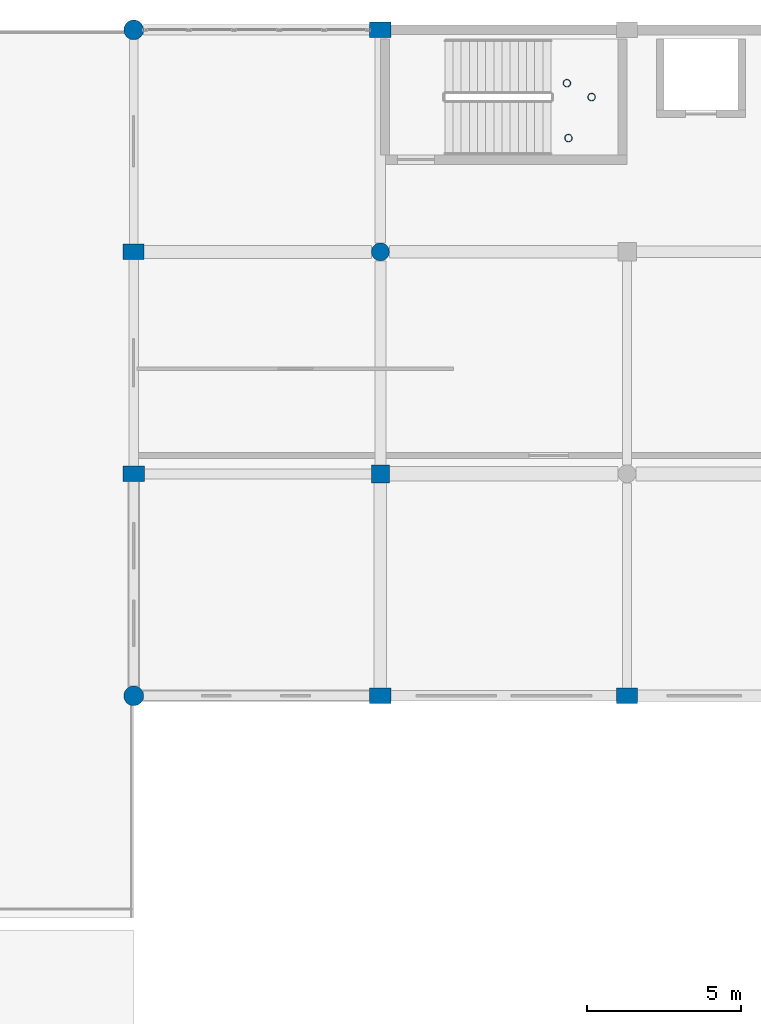
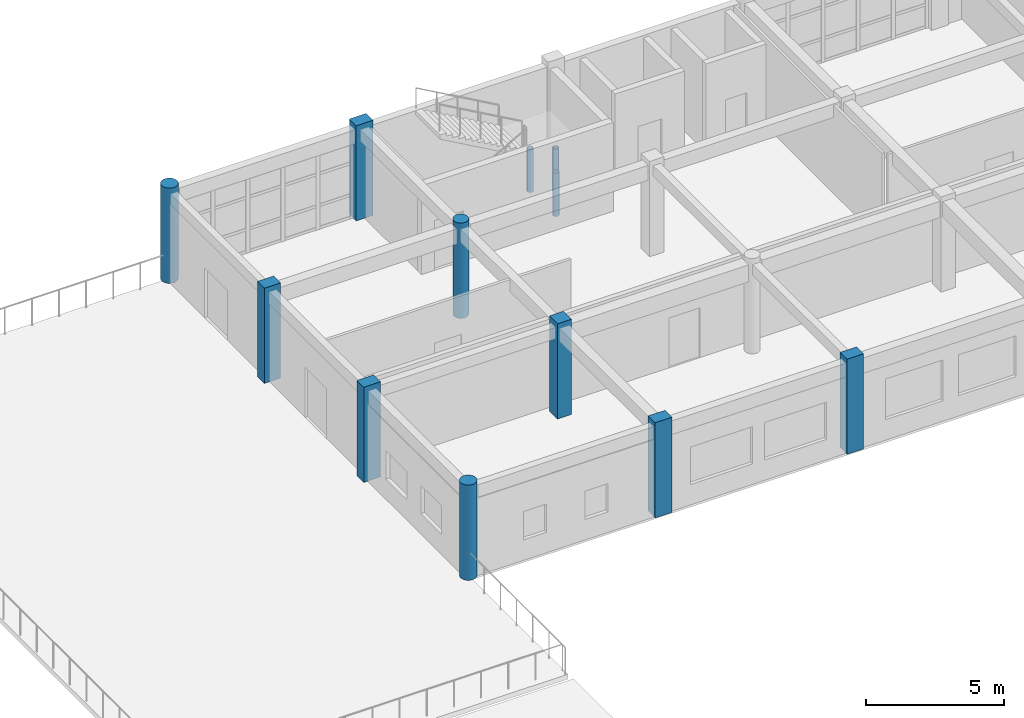
# One storey, part 1 of 53: 12 columns.
"""IFC4 building model written with IfcOpenShell, lengths in metres."""

from ifc_helpers import new_model, si_unit, direction, frame, origin, origin_2d, place, context, subcontext, project, spatial, rectangle, circle, hollow_circle, extrude, material, material_profile, profile_set, type_object, element, save


model = new_model("IFC4")

# Units and contexts
model_context = context("Model", 3, precision=1e-05, world=origin(), true_north=direction((0.0, 1.0)))
body_context = subcontext(model_context, "Body", "Model", "MODEL_VIEW")
ifc_project = project(units=[si_unit("LENGTHUNIT", "METRE"), si_unit("AREAUNIT", "SQUARE_METRE"), si_unit("VOLUMEUNIT", "CUBIC_METRE"), si_unit("PLANEANGLEUNIT", "RADIAN"), si_unit("MASSUNIT", "GRAM", prefix="KILO")], contexts=[model_context])

# Site, building, storey
site_placement = place(None, origin())
site = spatial("IfcSite", under=ifc_project, at=site_placement, CompositionType="ELEMENT")
building_placement = place(site_placement, origin())
building = spatial("IfcBuilding", under=site, at=building_placement, Name="Kharva Crest Polytechnic", CompositionType="ELEMENT")
storey_placement = place(building_placement, frame((0.0, 0.0, 17.39990234375)))
storey = spatial("IfcBuildingStorey", under=building, at=storey_placement, Name="L04", CompositionType="ELEMENT", Elevation=17.39990234375)

# Columns
ifc_material_1 = material(Name="Concrete C40/50", Category="concrete")
ifc_material_profile_1 = material_profile(ifc_material_1, rectangle(XDim=0.679931640625, YDim=0.5, at=origin_2d()), Name="RECT 680 X 500")
ifc_profile_set_1 = profile_set([ifc_material_profile_1], Name="Concrete C40/50")
column_type_1 = type_object("IfcColumnType", Name="COL-EXT-680X500", PredefinedType="COLUMN", material=ifc_profile_set_1)
for number, where, z_axis, x_axis, name in (
    (1, (48.0, 114.800048828125, 0.0), (0.0, 0.0, 1.0), (1.0, 0.0, 0.0), "L04 Column 7/R"),
    (2, (64.0, 100.39990234375, 0.0), (0.0, 0.0, 1.0), (1.0, 0.0, 0.0), "L04 Column 9/P"),
):
    element("IfcColumn", number, at=place(storey_placement, frame(where, z_axis=z_axis, x_axis=x_axis)), inside=storey, type_object=column_type_1, Name=name, PredefinedType="COLUMN", context=body_context, shape_type="SweptSolid", body=[
        extrude(rectangle(XDim=0.679931640625, YDim=0.5, at=origin_2d()), origin(), (0.0, 0.0, 1.0), 4.2001953125),
    ])
ifc_material_profile_2 = material_profile(ifc_material_1, rectangle(XDim=0.699951171875, YDim=0.5, at=origin_2d()), Name="RECT 700 X 500")
ifc_profile_set_2 = profile_set([ifc_material_profile_2], Name="Concrete C40/50")
column_type_2 = type_object("IfcColumnType", Name="COL-EXT-700X500", PredefinedType="COLUMN", material=ifc_profile_set_2)
for number, where, z_axis, x_axis, name in (
    (3, (48.0, 107.60009765625, 0.0), (0.0, 0.0, 1.0), (1.0, 0.0, 0.0), "L04 Column 7/Q"),
    (4, (56.0, 100.39990234375, 0.0), (0.0, 0.0, 1.0), (1.0, 0.0, 0.0), "L04 Column 8/P"),
    (5, (56.0, 122.0, 0.0), (0.0, 0.0, 1.0), (1.0, 0.0, 0.0), "L04 Column 8/S"),
):
    element("IfcColumn", number, at=place(storey_placement, frame(where, z_axis=z_axis, x_axis=x_axis)), inside=storey, type_object=column_type_2, Name=name, PredefinedType="COLUMN", context=body_context, shape_type="SweptSolid", body=[
        extrude(rectangle(XDim=0.699951171875, YDim=0.5, at=origin_2d()), origin(), (0.0, 0.0, 1.0), 4.2001953125),
    ])
ifc_material_profile_3 = material_profile(ifc_material_1, circle(Radius=0.320068359375, at=origin_2d()), Name="DIA 640")
ifc_profile_set_3 = profile_set([ifc_material_profile_3], Name="Concrete C40/50")
column_type_3 = type_object("IfcColumnType", Name="COL-EXT-DIA640", PredefinedType="COLUMN", material=ifc_profile_set_3)
for number, where, z_axis, x_axis, name in (
    (6, (48.0, 100.39990234375, 0.0), (0.0, 0.0, 1.0), (1.0, 0.0, 0.0), "L04 Column 7/P"),
    (7, (48.0, 122.0, 0.0), (0.0, 0.0, 1.0), (1.0, 0.0, 0.0), "L04 Column 7/S"),
):
    element("IfcColumn", number, at=place(storey_placement, frame(where, z_axis=z_axis, x_axis=x_axis)), inside=storey, type_object=column_type_3, Name=name, PredefinedType="COLUMN", context=body_context, shape_type="SweptSolid", body=[
        extrude(circle(Radius=0.320068359375, at=origin_2d()), origin(), (0.0, 0.0, 1.0), 4.2001953125),
    ])
ifc_material_profile_4 = material_profile(ifc_material_1, rectangle(XDim=0.580078125, YDim=0.580078125, at=origin_2d()), Name="RECT 580 X 580")
ifc_profile_set_4 = profile_set([ifc_material_profile_4], Name="Concrete C40/50")
column_type_4 = type_object("IfcColumnType", Name="COL-INT-580X580", PredefinedType="COLUMN", material=ifc_profile_set_4)
column_1_placement = place(storey_placement, frame((56.0, 107.60009765625, 0.0), z_axis=(0.0, 0.0, 1.0), x_axis=(1.0, 0.0, 0.0)))
element("IfcColumn", 8, at=column_1_placement, inside=storey, type_object=column_type_4, Name="L04 Column 8/Q", PredefinedType="COLUMN", context=body_context, shape_type="SweptSolid", body=[
    extrude(rectangle(XDim=0.580078125, YDim=0.580078125, at=origin_2d()), origin(), (0.0, 0.0, 1.0), 4.2001953125),
])
ifc_material_profile_5 = material_profile(ifc_material_1, circle(Radius=0.2900390625, at=origin_2d()), Name="DIA 580")
ifc_profile_set_5 = profile_set([ifc_material_profile_5], Name="Concrete C40/50")
column_type_5 = type_object("IfcColumnType", Name="COL-INT-DIA580", PredefinedType="COLUMN", material=ifc_profile_set_5)
column_2_placement = place(storey_placement, frame((56.0, 114.800048828125, 0.0), z_axis=(0.0, 0.0, 1.0), x_axis=(1.0, 0.0, 0.0)))
element("IfcColumn", 9, at=column_2_placement, inside=storey, type_object=column_type_5, Name="L04 Column 8/R", PredefinedType="COLUMN", context=body_context, shape_type="SweptSolid", body=[
    extrude(circle(Radius=0.2900390625, at=origin_2d()), origin(), (0.0, 0.0, 1.0), 4.2001953125),
])
ifc_material_2 = material(Name="Steel S355", Category="steel")
ifc_material_profile_6 = material_profile(ifc_material_2, hollow_circle(Radius=0.122314453125, WallThickness=0.010009765625, at=origin_2d()), Name="CHS 244.5X10.0")
ifc_profile_set_6 = profile_set([ifc_material_profile_6], Name="Steel S355")
column_type_6 = type_object("IfcColumnType", Name="COL-STL-CHS244", PredefinedType="COLUMN", material=ifc_profile_set_6)
for number, where, z_axis, x_axis, name in (
    (10, (62.10009765625, 118.489990234375, 0.0), (0.0, 0.0, 1.0), (1.0, 0.0, 0.0), "L04 Stair ST-03 Landing Support Column SW"),
    (11, (62.050048828125, 120.27001953125, 0.0), (0.0, 0.0, 1.0), (1.0, 0.0, 0.0), "L04 Stair ST-03 Landing Support Column NW"),
    (12, (62.85009765625, 119.820068359375, 0.0), (0.0, 0.0, 1.0), (1.0, 0.0, 0.0), "L04 Stair ST-03 Landing Support Column EM"),
):
    element("IfcColumn", number, at=place(storey_placement, frame(where, z_axis=z_axis, x_axis=x_axis)), inside=storey, type_object=column_type_6, Name=name, PredefinedType="COLUMN", context=body_context, shape_type="SweptSolid", body=[
        extrude(hollow_circle(Radius=0.122314453125, WallThickness=0.010009765625, at=origin_2d()), origin(), (0.0, 0.0, 1.0), 1.900146484375),
    ])

save(model, "model.ifc")
